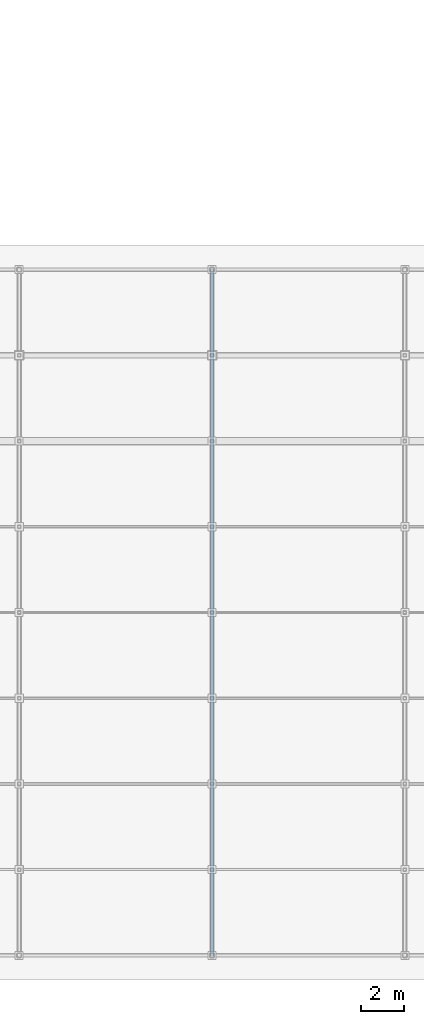
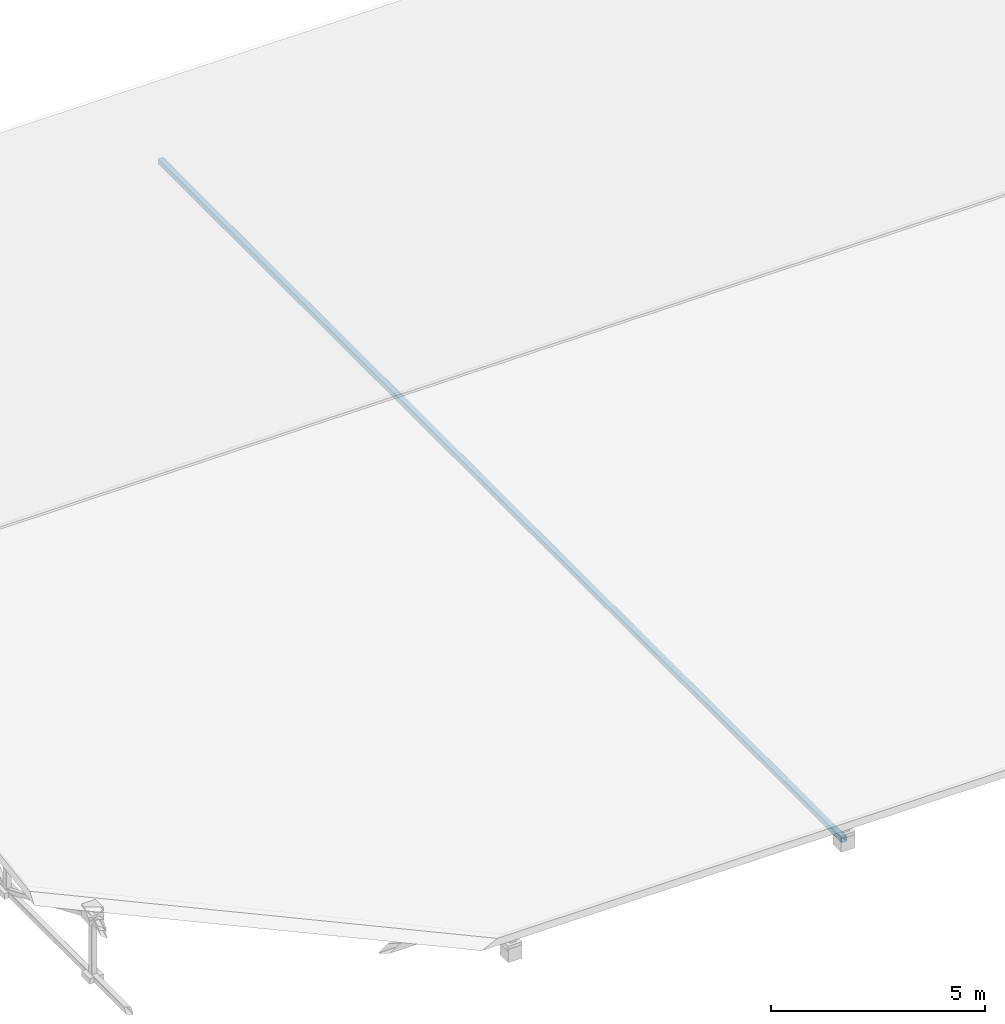
# One storey, part 14 of 118: 1 beam.
"""IFC4 building model written with IfcOpenShell, lengths in metres."""

from ifc_helpers import new_model, si_unit, direction, frame, origin, origin_2d, place, context, subcontext, project, spatial, hollow_rectangle, extrude, material, material_profile, profile_set, type_object, element, save


model = new_model("IFC4")

# Units and contexts
model_context = context("Model", 3, precision=1e-05, world=origin(), true_north=direction((0.0, 1.0)))
body_context = subcontext(model_context, "Body", "Model", "MODEL_VIEW")
ifc_project = project(units=[si_unit("LENGTHUNIT", "METRE"), si_unit("AREAUNIT", "SQUARE_METRE"), si_unit("VOLUMEUNIT", "CUBIC_METRE"), si_unit("PLANEANGLEUNIT", "RADIAN"), si_unit("MASSUNIT", "GRAM", prefix="KILO"), si_unit("THERMODYNAMICTEMPERATUREUNIT", "KELVIN"), si_unit("POWERUNIT", "WATT")], contexts=[model_context])

# Site, building, storey
site_placement = place(None, origin())
site = spatial("IfcSite", under=ifc_project, at=site_placement, CompositionType="ELEMENT")
building_placement = place(site_placement, origin())
building = spatial("IfcBuilding", under=site, at=building_placement, Name="Zelmaris Science Centre", CompositionType="ELEMENT")
storey_placement = place(building_placement, frame((0.0, 0.0, 15.60009765625)))
storey = spatial("IfcBuildingStorey", under=building, at=storey_placement, Name="L03", CompositionType="ELEMENT", Elevation=15.60009765625)

# Beam
ifc_material = material(Name="Steel ASTM A500 Grade C", Category="steel")
ifc_material_profile = material_profile(ifc_material, hollow_rectangle(XDim=0.15234375, YDim=0.15234375, WallThickness=0.0087890625, InnerFilletRadius=0.0087890625, OuterFilletRadius=0.017822265625, at=origin_2d()), Name="HSS152X152X10")
ifc_profile_set = profile_set([ifc_material_profile], Name="Steel ASTM A500 Grade C")
beam_type = type_object("IfcBeamType", Name="Beam G-21 HSS152X152X10", PredefinedType="BEAM", material=ifc_profile_set)
beam_placement = place(storey_placement, frame((27.0, 8.0, -0.1044921875), z_axis=(0.0, 1.0, 0.0), x_axis=(-1.0, 0.0, 0.0)))
element("IfcBeam", 1, at=beam_placement, inside=storey, type_object=beam_type, Name="RF-V3 Roof truss 3 bottom chord", PredefinedType="BEAM", context=body_context, shape_type="SweptSolid", body=[
    extrude(hollow_rectangle(XDim=0.15234375, YDim=0.15234375, WallThickness=0.0087890625, InnerFilletRadius=0.0087890625, OuterFilletRadius=0.017822265625, at=origin_2d()), origin(), (0.0, 0.0, 1.0), 32.0),
])

save(model, "model.ifc")
